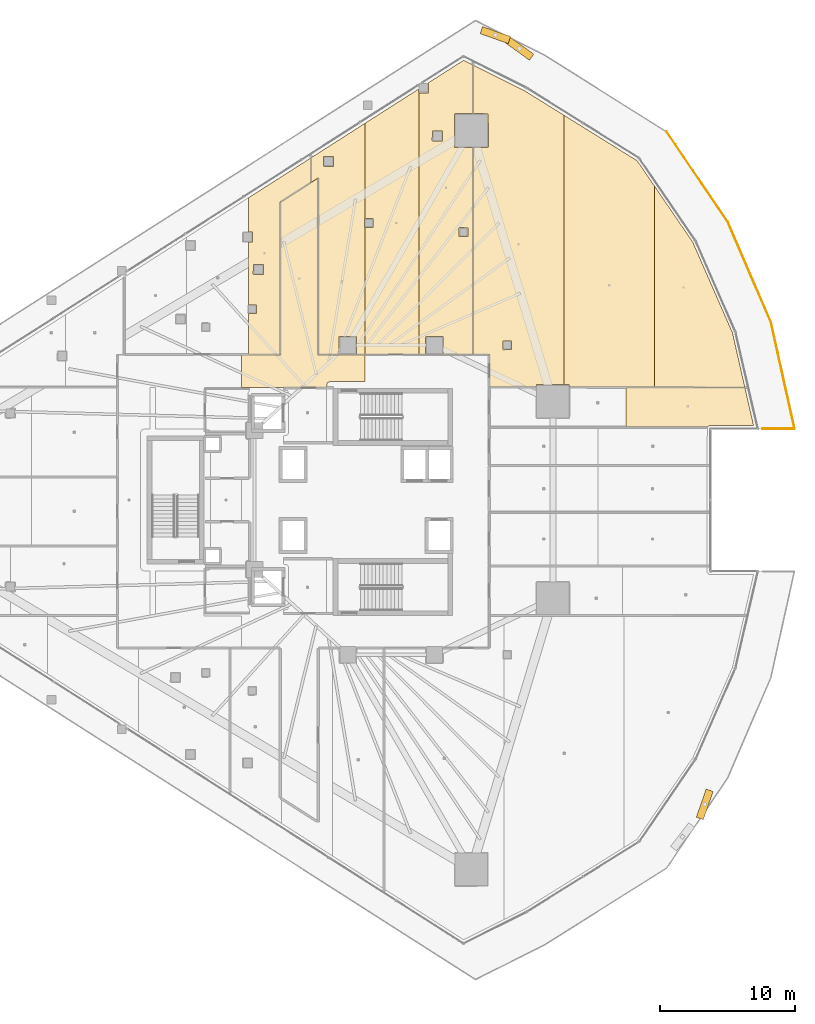
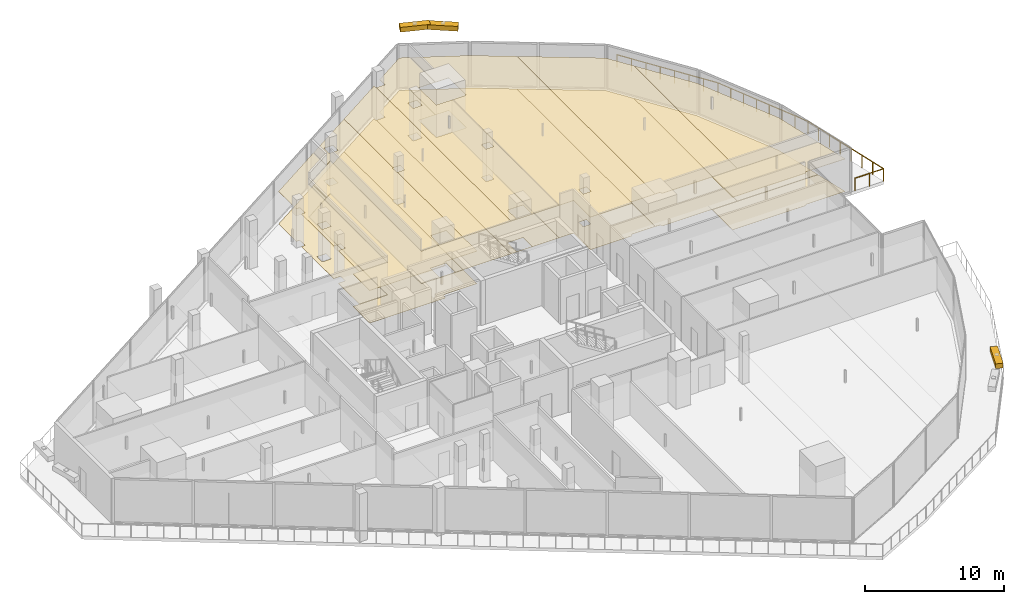
# One storey, part 44 of 44: 18 coverings, 3 shading devices, 1 railing.
"""IFC4 building model written with IfcOpenShell, lengths in metres."""

from ifc_helpers import new_model, si_unit, direction, frame, origin, origin_2d, place, context, subcontext, project, spatial, polyline, rectangle, circle, outline, extrude, material, layer, layer_set, type_object, element, save


model = new_model("IFC4")

# Units and contexts
model_context = context("Model", 3, precision=1e-05, world=origin(), true_north=direction((0.0, 1.0)))
body_context = subcontext(model_context, "Body", "Model", "MODEL_VIEW")
ifc_project = project(units=[si_unit("LENGTHUNIT", "METRE"), si_unit("AREAUNIT", "SQUARE_METRE"), si_unit("VOLUMEUNIT", "CUBIC_METRE"), si_unit("PLANEANGLEUNIT", "RADIAN"), si_unit("MASSUNIT", "GRAM", prefix="KILO")], contexts=[model_context])

# Site, building, storey
site_placement = place(None, origin())
site = spatial("IfcSite", under=ifc_project, at=site_placement, CompositionType="ELEMENT")
building_placement = place(site_placement, origin())
building = spatial("IfcBuilding", under=site, at=building_placement, Name="Qorvath Tower", CompositionType="ELEMENT")
storey_placement = place(building_placement, frame((0.0, 0.0, 57.60009765625)))
storey = spatial("IfcBuildingStorey", under=building, at=storey_placement, Name="L12", CompositionType="ELEMENT", Elevation=57.60009765625)

# Coverings
ifc_material_1 = material(Name="Acoustic mineral fibre ceiling tile", Category="gypsum")
ifc_layer_1 = layer(ifc_material_1, 0.030029296875)
ifc_layer_set_1 = layer_set([ifc_layer_1], Name="COV-CEIL")
covering_type_1 = type_object("IfcCoveringType", Name="COV-CEIL", PredefinedType="CEILING", material=ifc_layer_set_1)
covering_1_placement = place(storey_placement, frame((0.0, 0.0, 2.849853515625)))
element("IfcCovering", 1, at=covering_1_placement, inside=storey, type_object=covering_type_1, Name="L12 Suspended Acoustic Ceiling 009", PredefinedType="CEILING", context=body_context, shape_type="SweptSolid", body=[
    extrude(outline(polyline([(-31.481689453125, 10.74609375), (-31.481689453125, 8.324951171875), (-25.18994140625, 8.324951171875), (-25.11669921875, 8.6767578125), (-24.93994140625, 8.75), (-22.318359375, 8.75), (-22.318359375, 10.74609375), (-25.803466796875, 10.74658203125), (-25.804931640625, 23.815185546875), (-28.594970703125, 22.031982421875), (-28.596435546875, 10.74658203125), (-31.481689453125, 10.74609375)])), origin(), (0.0, 0.0, 1.0), 0.030029296875),
])
covering_2_placement = place(storey_placement, frame((0.0, 0.0, 2.849853515625)))
element("IfcCovering", 2, at=covering_2_placement, inside=storey, type_object=covering_type_1, Name="L12 Suspended Acoustic Ceiling 014", PredefinedType="CEILING", context=body_context, shape_type="SweptSolid", body=[
    extrude(outline(polyline([(-28.610595703125, 22.043212890625), (-26.3447265625, 23.491455078125), (-26.3447265625, 25.309814453125), (-30.94091796875, 22.372314453125), (-30.94091796875, 19.835205078125), (-30.648681640625, 19.827880859375), (-30.648681640625, 19.093017578125), (-30.94091796875, 19.093017578125), (-30.94091796875, 14.441650390625), (-30.35986328125, 14.441650390625), (-30.35986328125, 13.806884765625), (-30.94091796875, 13.78955078125), (-30.94091796875, 10.762939453125), (-28.613037109375, 10.762939453125), (-28.610595703125, 22.043212890625)]), holes=[polyline([(-30.60986328125, 16.734619140625), (-30.59228515625, 17.427001953125), (-29.857421875, 17.427001953125), (-29.857421875, 16.692138671875), (-30.5498046875, 16.674560546875), (-30.60986328125, 16.734619140625)])]), origin(), (0.0, 0.0, 1.0), 0.030029296875),
])
covering_3_placement = place(storey_placement, frame((0.0, 0.0, 2.849853515625)))
element("IfcCovering", 3, at=covering_3_placement, inside=storey, type_object=covering_type_1, Name="L12 Suspended Acoustic Ceiling 015", PredefinedType="CEILING", context=body_context, shape_type="SweptSolid", body=[
    extrude(outline(polyline([(-22.332275390625, 10.762939453125), (-22.332275390625, 20.177490234375), (-22.37060546875, 20.177490234375), (-22.38818359375, 20.77001953125), (-22.332275390625, 20.825927734375), (-22.332275390625, 27.874267578125), (-26.32666015625, 25.3212890625), (-26.32666015625, 23.503173828125), (-25.787109375, 23.8388671875), (-25.787109375, 10.762939453125), (-22.332275390625, 10.762939453125)]), holes=[polyline([(-24.260009765625, 10.85009765625), (-24.242431640625, 12.092529296875), (-22.95751953125, 12.092529296875), (-22.95751953125, 10.8076171875), (-24.199951171875, 10.7900390625), (-24.260009765625, 10.85009765625)]), polyline([(-25.422607421875, 24.73388671875), (-25.405029296875, 25.42626953125), (-24.670166015625, 25.42626953125), (-24.670166015625, 24.69140625), (-25.362548828125, 24.673828125), (-25.422607421875, 24.73388671875)])]), origin(), (0.0, 0.0, 1.0), 0.030029296875),
])
covering_4_placement = place(storey_placement, frame((0.0, 0.0, 2.849853515625)))
element("IfcCovering", 4, at=covering_4_placement, inside=storey, type_object=covering_type_1, Name="L12 Suspended Acoustic Ceiling 016", PredefinedType="CEILING", context=body_context, shape_type="SweptSolid", body=[
    extrude(outline(polyline([(-18.337646484375, 10.762939453125), (-18.337646484375, 30.127685546875), (-18.385009765625, 30.175048828125), (-18.385009765625, 30.39697265625), (-22.332275390625, 27.874267578125), (-22.332275390625, 20.825927734375), (-22.328125, 20.829833984375), (-21.73583984375, 20.812255859375), (-21.73583984375, 20.177490234375), (-22.332275390625, 20.177490234375), (-22.332275390625, 10.762939453125), (-18.337646484375, 10.762939453125)])), origin(), (0.0, 0.0, 1.0), 0.030029296875),
])
covering_5_placement = place(storey_placement, frame((0.0, 0.0, 2.849853515625)))
element("IfcCovering", 5, at=covering_5_placement, inside=storey, type_object=covering_type_1, Name="L12 Suspended Acoustic Ceiling 017", PredefinedType="CEILING", context=body_context, shape_type="SweptSolid", body=[
    extrude(outline(polyline([(-14.34326171875, 32.18359375), (-15.042724609375, 32.533203125), (-17.642578125, 30.87158203125), (-17.632568359375, 30.132568359375), (-18.324951171875, 30.114990234375), (-18.337646484375, 30.127685546875), (-18.337646484375, 10.762939453125), (-14.34326171875, 10.762939453125), (-14.34326171875, 26.07080078125), (-15.706787109375, 26.08837890625), (-15.724365234375, 28.53076171875), (-15.664306640625, 28.5908203125), (-14.34326171875, 28.5908203125), (-14.34326171875, 32.18359375)]), holes=[polyline([(-15.381103515625, 20.093017578125), (-15.321044921875, 20.153076171875), (-14.728759765625, 20.135498046875), (-14.728759765625, 19.500732421875), (-15.363525390625, 19.500732421875), (-15.381103515625, 20.093017578125)]), polyline([(-17.860107421875, 12.050048828125), (-17.800048828125, 12.110107421875), (-16.5576171875, 12.092529296875), (-16.5576171875, 10.8076171875), (-17.842529296875, 10.8076171875), (-17.860107421875, 12.050048828125)]), polyline([(-17.3662109375, 26.604248046875), (-17.3486328125, 27.296630859375), (-16.61376953125, 27.296630859375), (-16.61376953125, 26.561767578125), (-17.30615234375, 26.544189453125), (-17.3662109375, 26.604248046875)])]), origin(), (0.0, 0.0, 1.0), 0.030029296875),
])
covering_6_placement = place(storey_placement, frame((0.0, 0.0, 2.849853515625)))
element("IfcCovering", 6, at=covering_6_placement, inside=storey, type_object=covering_type_1, Name="L12 Suspended Acoustic Ceiling 018", PredefinedType="CEILING", context=body_context, shape_type="SweptSolid", body=[
    extrude(outline(polyline([(-7.626953125, 8.536376953125), (-7.626953125, 28.4765625), (-10.493408203125, 30.258544921875), (-14.3251953125, 32.174560546875), (-14.3251953125, 28.5908203125), (-13.221923828125, 28.5732421875), (-13.204345703125, 26.130615234375), (-13.264404296875, 26.07080078125), (-14.3251953125, 26.07080078125), (-14.3251953125, 10.762939453125), (-13.138427734375, 10.761474609375), (-13.136962890625, 8.35498046875), (-9.690185546875, 8.35498046875), (-9.63037109375, 8.536376953125), (-7.626953125, 8.536376953125)]), holes=[polyline([(-12.135009765625, 11.175048828125), (-12.117431640625, 11.767333984375), (-11.482666015625, 11.767333984375), (-11.482666015625, 11.132568359375), (-12.074951171875, 11.114990234375), (-12.135009765625, 11.175048828125)])]), origin(), (0.0, 0.0, 1.0), 0.030029296875),
])
covering_7_placement = place(storey_placement, frame((0.0, 0.0, 2.849853515625)))
element("IfcCovering", 7, at=covering_7_placement, inside=storey, type_object=covering_type_1, Name="L12 Suspended Acoustic Ceiling 019", PredefinedType="CEILING", context=body_context, shape_type="SweptSolid", body=[
    extrude(outline(polyline([(-0.9287109375, 8.346435546875), (-0.9287109375, 23.242919921875), (-2.1982421875, 25.101806640625), (-7.626953125, 28.4765625), (-7.626953125, 8.536376953125), (-7.230224609375, 8.536376953125), (-7.17041015625, 8.35498046875), (-0.9287109375, 8.346435546875)])), origin(), (0.0, 0.0, 1.0), 0.030029296875),
])
covering_8_placement = place(storey_placement, frame((0.0, 0.0, 2.849853515625)))
element("IfcCovering", 8, at=covering_8_placement, inside=storey, type_object=covering_type_1, Name="L12 Suspended Acoustic Ceiling 020", PredefinedType="CEILING", context=body_context, shape_type="SweptSolid", body=[
    extrude(outline(polyline([(5.76953125, 8.33740234375), (4.85400390625, 12.372314453125), (1.91748046875, 19.076171875), (-0.9287109375, 23.242919921875), (-0.9287109375, 8.346435546875), (5.76953125, 8.33740234375)])), origin(), (0.0, 0.0, 1.0), 0.030029296875),
])
covering_9_placement = place(storey_placement, frame((0.0, 0.0, 2.849853515625)))
element("IfcCovering", 9, at=covering_9_placement, inside=storey, type_object=covering_type_1, Name="L12 Suspended Acoustic Ceiling 039", PredefinedType="CEILING", context=body_context, shape_type="SweptSolid", body=[
    extrude(outline(polyline([(3.00244140625, 5.400634765625), (3.170654296875, 5.5205078125), (6.41259765625, 5.525390625), (5.768310546875, 8.3193359375), (-3.025634765625, 8.331298828125), (-3.025634765625, 5.400634765625), (3.00244140625, 5.400634765625)])), origin(), (0.0, 0.0, 1.0), 0.030029296875),
])
ifc_material_2 = material(Name="Low-VOC modular carpet tile", Category="textile")
ifc_layer_2 = layer(ifc_material_2, 0.014892578125)
ifc_layer_set_2 = layer_set([ifc_layer_2], Name="COV-FLOOR-CPT")
covering_type_2 = type_object("IfcCoveringType", Name="COV-FLOOR-CPT", PredefinedType="FLOORING", material=ifc_layer_set_2)
covering_10_placement = place(storey_placement, origin())
element("IfcCovering", 10, at=covering_10_placement, inside=storey, type_object=covering_type_2, Name="L12 Floor Finish 014", PredefinedType="FLOORING", context=body_context, shape_type="SweptSolid", body=[
    extrude(outline(polyline([(-28.610595703125, 22.043212890625), (-26.3447265625, 23.491455078125), (-26.3447265625, 25.309814453125), (-30.94091796875, 22.372314453125), (-30.94091796875, 19.835205078125), (-30.648681640625, 19.827880859375), (-30.648681640625, 19.093017578125), (-30.94091796875, 19.093017578125), (-30.94091796875, 14.441650390625), (-30.35986328125, 14.441650390625), (-30.35986328125, 13.806884765625), (-30.94091796875, 13.78955078125), (-30.94091796875, 10.762939453125), (-28.613037109375, 10.762939453125), (-28.610595703125, 22.043212890625)]), holes=[polyline([(-30.60986328125, 16.734619140625), (-30.59228515625, 17.427001953125), (-29.857421875, 17.427001953125), (-29.857421875, 16.692138671875), (-30.5498046875, 16.674560546875), (-30.60986328125, 16.734619140625)])]), origin(), (0.0, 0.0, 1.0), 0.014892578125),
])
covering_11_placement = place(storey_placement, origin())
element("IfcCovering", 11, at=covering_11_placement, inside=storey, type_object=covering_type_2, Name="L12 Floor Finish 015", PredefinedType="FLOORING", context=body_context, shape_type="SweptSolid", body=[
    extrude(outline(polyline([(-22.332275390625, 10.762939453125), (-22.332275390625, 20.177490234375), (-22.37060546875, 20.177490234375), (-22.38818359375, 20.77001953125), (-22.332275390625, 20.825927734375), (-22.332275390625, 27.874267578125), (-26.32666015625, 25.3212890625), (-26.32666015625, 23.503173828125), (-25.787109375, 23.8388671875), (-25.787109375, 10.762939453125), (-22.332275390625, 10.762939453125)]), holes=[polyline([(-24.260009765625, 10.85009765625), (-24.242431640625, 12.092529296875), (-22.95751953125, 12.092529296875), (-22.95751953125, 10.8076171875), (-24.199951171875, 10.7900390625), (-24.260009765625, 10.85009765625)]), polyline([(-25.422607421875, 24.73388671875), (-25.405029296875, 25.42626953125), (-24.670166015625, 25.42626953125), (-24.670166015625, 24.69140625), (-25.362548828125, 24.673828125), (-25.422607421875, 24.73388671875)])]), origin(), (0.0, 0.0, 1.0), 0.014892578125),
])
covering_12_placement = place(storey_placement, origin())
element("IfcCovering", 12, at=covering_12_placement, inside=storey, type_object=covering_type_2, Name="L12 Floor Finish 016", PredefinedType="FLOORING", context=body_context, shape_type="SweptSolid", body=[
    extrude(outline(polyline([(-18.337646484375, 10.762939453125), (-18.337646484375, 30.127685546875), (-18.385009765625, 30.175048828125), (-18.385009765625, 30.39697265625), (-22.332275390625, 27.874267578125), (-22.332275390625, 20.825927734375), (-22.328125, 20.829833984375), (-21.73583984375, 20.812255859375), (-21.73583984375, 20.177490234375), (-22.332275390625, 20.177490234375), (-22.332275390625, 10.762939453125), (-18.337646484375, 10.762939453125)])), origin(), (0.0, 0.0, 1.0), 0.014892578125),
])
covering_13_placement = place(storey_placement, origin())
element("IfcCovering", 13, at=covering_13_placement, inside=storey, type_object=covering_type_2, Name="L12 Floor Finish 017", PredefinedType="FLOORING", context=body_context, shape_type="SweptSolid", body=[
    extrude(outline(polyline([(-14.34326171875, 32.18359375), (-15.042724609375, 32.533203125), (-17.642578125, 30.87158203125), (-17.632568359375, 30.132568359375), (-18.324951171875, 30.114990234375), (-18.337646484375, 30.127685546875), (-18.337646484375, 10.762939453125), (-14.34326171875, 10.762939453125), (-14.34326171875, 26.07080078125), (-15.706787109375, 26.08837890625), (-15.724365234375, 28.53076171875), (-15.664306640625, 28.5908203125), (-14.34326171875, 28.5908203125), (-14.34326171875, 32.18359375)]), holes=[polyline([(-15.381103515625, 20.093017578125), (-15.321044921875, 20.153076171875), (-14.728759765625, 20.135498046875), (-14.728759765625, 19.500732421875), (-15.363525390625, 19.500732421875), (-15.381103515625, 20.093017578125)]), polyline([(-17.860107421875, 12.050048828125), (-17.800048828125, 12.110107421875), (-16.5576171875, 12.092529296875), (-16.5576171875, 10.8076171875), (-17.842529296875, 10.8076171875), (-17.860107421875, 12.050048828125)]), polyline([(-17.3662109375, 26.604248046875), (-17.3486328125, 27.296630859375), (-16.61376953125, 27.296630859375), (-16.61376953125, 26.561767578125), (-17.30615234375, 26.544189453125), (-17.3662109375, 26.604248046875)])]), origin(), (0.0, 0.0, 1.0), 0.014892578125),
])
covering_14_placement = place(storey_placement, origin())
element("IfcCovering", 14, at=covering_14_placement, inside=storey, type_object=covering_type_2, Name="L12 Floor Finish 018", PredefinedType="FLOORING", context=body_context, shape_type="SweptSolid", body=[
    extrude(outline(polyline([(-7.626953125, 8.536376953125), (-7.626953125, 28.4765625), (-10.493408203125, 30.258544921875), (-14.3251953125, 32.174560546875), (-14.3251953125, 28.5908203125), (-13.221923828125, 28.5732421875), (-13.204345703125, 26.130615234375), (-13.264404296875, 26.07080078125), (-14.3251953125, 26.07080078125), (-14.3251953125, 10.762939453125), (-13.138427734375, 10.761474609375), (-13.136962890625, 8.35498046875), (-9.690185546875, 8.35498046875), (-9.63037109375, 8.536376953125), (-7.626953125, 8.536376953125)]), holes=[polyline([(-12.135009765625, 11.175048828125), (-12.117431640625, 11.767333984375), (-11.482666015625, 11.767333984375), (-11.482666015625, 11.132568359375), (-12.074951171875, 11.114990234375), (-12.135009765625, 11.175048828125)])]), origin(), (0.0, 0.0, 1.0), 0.014892578125),
])
covering_15_placement = place(storey_placement, origin())
element("IfcCovering", 15, at=covering_15_placement, inside=storey, type_object=covering_type_2, Name="L12 Floor Finish 019", PredefinedType="FLOORING", context=body_context, shape_type="SweptSolid", body=[
    extrude(outline(polyline([(-0.9287109375, 8.346435546875), (-0.9287109375, 23.242919921875), (-2.1982421875, 25.101806640625), (-7.626953125, 28.4765625), (-7.626953125, 8.536376953125), (-7.230224609375, 8.536376953125), (-7.17041015625, 8.35498046875), (-0.9287109375, 8.346435546875)])), origin(), (0.0, 0.0, 1.0), 0.014892578125),
])
covering_16_placement = place(storey_placement, origin())
element("IfcCovering", 16, at=covering_16_placement, inside=storey, type_object=covering_type_2, Name="L12 Floor Finish 020", PredefinedType="FLOORING", context=body_context, shape_type="SweptSolid", body=[
    extrude(outline(polyline([(5.76953125, 8.33740234375), (4.85400390625, 12.372314453125), (1.91748046875, 19.076171875), (-0.9287109375, 23.242919921875), (-0.9287109375, 8.346435546875), (5.76953125, 8.33740234375)])), origin(), (0.0, 0.0, 1.0), 0.014892578125),
])
covering_17_placement = place(storey_placement, origin())
element("IfcCovering", 17, at=covering_17_placement, inside=storey, type_object=covering_type_2, Name="L12 Floor Finish 039", PredefinedType="FLOORING", context=body_context, shape_type="SweptSolid", body=[
    extrude(outline(polyline([(3.00244140625, 5.400634765625), (3.170654296875, 5.5205078125), (6.41259765625, 5.525390625), (5.768310546875, 8.3193359375), (-3.025634765625, 8.331298828125), (-3.025634765625, 5.400634765625), (3.00244140625, 5.400634765625)])), origin(), (0.0, 0.0, 1.0), 0.014892578125),
])
ifc_material_3 = material(Name="Polished epoxy terrazzo flooring", Category="concrete")
ifc_layer_3 = layer(ifc_material_3, 0.02001953125)
ifc_layer_set_3 = layer_set([ifc_layer_3], Name="COV-FLOOR-TRZ")
covering_type_3 = type_object("IfcCoveringType", Name="COV-FLOOR-TRZ", PredefinedType="FLOORING", material=ifc_layer_set_3)
covering_18_placement = place(storey_placement, origin())
element("IfcCovering", 18, at=covering_18_placement, inside=storey, type_object=covering_type_3, Name="L12 Floor Finish 009", PredefinedType="FLOORING", context=body_context, shape_type="SweptSolid", body=[
    extrude(outline(polyline([(-31.481689453125, 10.74609375), (-31.481689453125, 8.324951171875), (-25.18994140625, 8.324951171875), (-25.11669921875, 8.6767578125), (-24.93994140625, 8.75), (-22.318359375, 8.75), (-22.318359375, 10.74609375), (-25.803466796875, 10.74658203125), (-25.804931640625, 23.815185546875), (-28.594970703125, 22.031982421875), (-28.596435546875, 10.74658203125), (-31.481689453125, 10.74609375)])), origin(), (0.0, 0.0, 1.0), 0.014892578125),
])

# Railing
ifc_material_4 = material(Name="Laminated safety glass and stainless steel AISI 316", Category="steel")
railing_type = type_object("IfcRailingType", Name="RL-EXT-GRD", PredefinedType="GUARDRAIL", material=ifc_material_4)
railing_placement = place(storey_placement, frame((-0.012939453125, 27.2451171875, 0.0)))
element("IfcRailing", 19, at=railing_placement, inside=storey, type_object=railing_type, Name="Loggia Perimeter Guardrail L12-1.1", PredefinedType="GUARDRAIL", context=body_context, shape_type="SweptSolid", body=[
    extrude(circle(Radius=0.02392578125, at=origin_2d()), frame((0.0, 0.0, 1.09619140625), z_axis=(0.56080734348, -0.827946328876, 0.0), x_axis=(0.827946328876, 0.56080734348, 0.0)), (0.0, 0.0, 1.0), 8.07080078125),
    extrude(circle(Radius=0.02392578125, at=origin_2d()), frame((4.526123046875, -6.68212890625, 1.09619140625), z_axis=(0.395495920644, -0.918467733104, 0.0), x_axis=(0.918467733104, 0.395495920644, 0.0)), (0.0, 0.0, 1.0), 8.070556640625),
    extrude(circle(Radius=0.02392578125, at=origin_2d()), frame((7.718017578125, -14.0947265625, 1.09619140625), z_axis=(0.216081573527, -0.976375313894, 0.0), x_axis=(0.976375313894, 0.216081573527, 0.0)), (0.0, 0.0, 1.0), 8.070556640625),
    extrude(circle(Radius=0.02392578125, at=origin_2d()), frame((9.4619140625, -21.974609375, 1.09619140625), z_axis=(-1.0, 0.0, 0.0), x_axis=(0.0, -1.0, 0.0)), (0.0, 0.0, 1.0), 2.3662109375),
    extrude(circle(Radius=0.02099609375, at=origin_2d()), origin(), (0.0, 0.0, 1.0), 1.072021484375),
    extrude(circle(Radius=0.02099609375, at=origin_2d()), frame((0.646484375, -0.95458984375, 0.0)), (0.0, 0.0, 1.0), 1.072021484375),
    extrude(circle(Radius=0.02099609375, at=origin_2d()), frame((1.293212890625, -1.9091796875, 0.0)), (0.0, 0.0, 1.0), 1.072021484375),
    extrude(circle(Radius=0.02099609375, at=origin_2d()), frame((1.939697265625, -2.86376953125, 0.0)), (0.0, 0.0, 1.0), 1.072021484375),
    extrude(circle(Radius=0.02099609375, at=origin_2d()), frame((2.58642578125, -3.818359375, 0.0)), (0.0, 0.0, 1.0), 1.072021484375),
    extrude(circle(Radius=0.02099609375, at=origin_2d()), frame((3.23291015625, -4.77294921875, 0.0)), (0.0, 0.0, 1.0), 1.072021484375),
    extrude(circle(Radius=0.02099609375, at=origin_2d()), frame((3.879638671875, -5.7275390625, 0.0)), (0.0, 0.0, 1.0), 1.072021484375),
    extrude(circle(Radius=0.02099609375, at=origin_2d()), frame((4.526123046875, -6.68212890625, 0.0)), (0.0, 0.0, 1.0), 1.072021484375),
    extrude(circle(Radius=0.02099609375, at=origin_2d()), frame((4.982177734375, -7.740966796875, 0.0)), (0.0, 0.0, 1.0), 1.072021484375),
    extrude(circle(Radius=0.02099609375, at=origin_2d()), frame((5.43798828125, -8.800048828125, 0.0)), (0.0, 0.0, 1.0), 1.072021484375),
    extrude(circle(Radius=0.02099609375, at=origin_2d()), frame((5.89404296875, -9.85888671875, 0.0)), (0.0, 0.0, 1.0), 1.072021484375),
    extrude(circle(Radius=0.02099609375, at=origin_2d()), frame((6.35009765625, -10.91796875, 0.0)), (0.0, 0.0, 1.0), 1.072021484375),
    extrude(circle(Radius=0.02099609375, at=origin_2d()), frame((6.80615234375, -11.976806640625, 0.0)), (0.0, 0.0, 1.0), 1.072021484375),
    extrude(circle(Radius=0.02099609375, at=origin_2d()), frame((7.261962890625, -13.035888671875, 0.0)), (0.0, 0.0, 1.0), 1.072021484375),
    extrude(circle(Radius=0.02099609375, at=origin_2d()), frame((7.718017578125, -14.0947265625, 0.0)), (0.0, 0.0, 1.0), 1.072021484375),
    extrude(circle(Radius=0.02099609375, at=origin_2d()), frame((7.967041015625, -15.220458984375, 0.0)), (0.0, 0.0, 1.0), 1.072021484375),
    extrude(circle(Radius=0.02099609375, at=origin_2d()), frame((8.21630859375, -16.34619140625, 0.0)), (0.0, 0.0, 1.0), 1.072021484375),
    extrude(circle(Radius=0.02099609375, at=origin_2d()), frame((8.46533203125, -17.471923828125, 0.0)), (0.0, 0.0, 1.0), 1.072021484375),
    extrude(circle(Radius=0.02099609375, at=origin_2d()), frame((8.714599609375, -18.597412109375, 0.0)), (0.0, 0.0, 1.0), 1.072021484375),
    extrude(circle(Radius=0.02099609375, at=origin_2d()), frame((8.963623046875, -19.72314453125, 0.0)), (0.0, 0.0, 1.0), 1.072021484375),
    extrude(circle(Radius=0.02099609375, at=origin_2d()), frame((9.212890625, -20.848876953125, 0.0)), (0.0, 0.0, 1.0), 1.072021484375),
    extrude(circle(Radius=0.02099609375, at=origin_2d()), frame((9.4619140625, -21.974609375, 0.0)), (0.0, 0.0, 1.0), 1.072021484375),
    extrude(circle(Radius=0.02099609375, at=origin_2d()), frame((8.27880859375, -21.974609375, 0.0)), (0.0, 0.0, 1.0), 1.072021484375),
    extrude(circle(Radius=0.02099609375, at=origin_2d()), frame((7.095703125, -21.974609375, 0.0)), (0.0, 0.0, 1.0), 1.072021484375),
])

# Shading devices
ifc_material_5 = material(Name="Anodised bronze-champagne aluminium", Category="aluminium")
shading_device_type = type_object("IfcShadingDeviceType", Name="SD-LOUVRE", PredefinedType="JALOUSIE", material=ifc_material_5)
for number, where, z_axis, x_axis, name in (
    (20, (2.7998046875, -22.52197265625, 3.5), (0.0, 0.0, 1.0), (0.330884996986, 0.943671086115, 0.0), "Sinusoidal Wave Louvre Blade L12-04"),
    (21, (-10.902099609375, 33.406982421875, 3.5), (0.0, 0.0, 1.0), (-0.811718755579, 0.584048509835, 0.0), "Sinusoidal Wave Louvre Blade L12-05"),
    (22, (-12.689208984375, 34.396728515625, 3.5), (0.0, 0.0, 1.0), (-0.942386619481, 0.334525723111, 0.0), "Sinusoidal Wave Louvre Blade L12-06"),
):
    element("IfcShadingDevice", number, at=place(storey_placement, frame(where, z_axis=z_axis, x_axis=x_axis)), inside=storey, type_object=shading_device_type, Name=name, PredefinedType="NOTDEFINED", context=body_context, shape_type="SweptSolid", body=[
        extrude(rectangle(XDim=2.199951171875, YDim=0.550048828125, at=origin_2d()), origin(), (0.0, 0.0, 1.0), 0.419921875),
    ])

save(model, "model.ifc")
